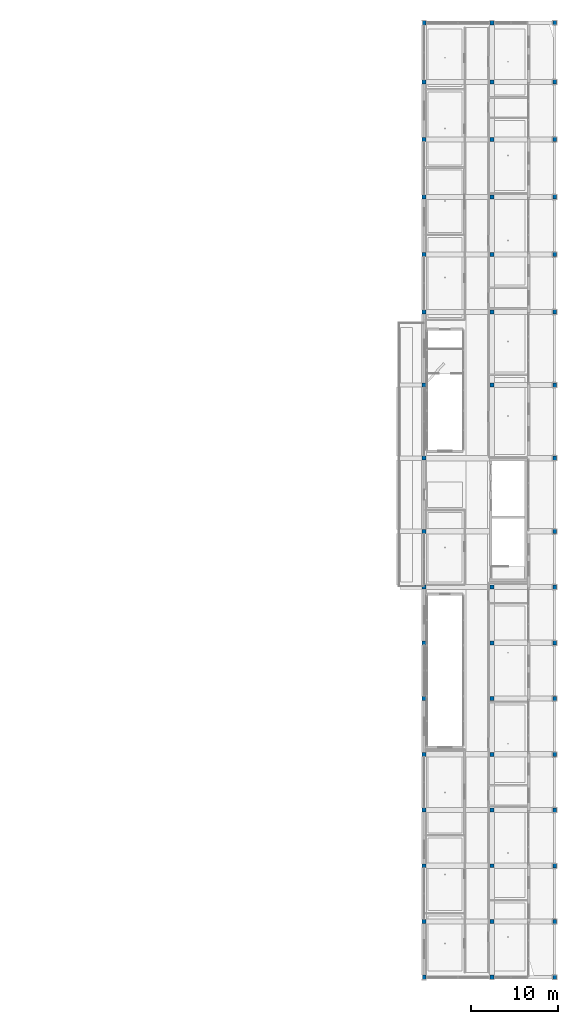
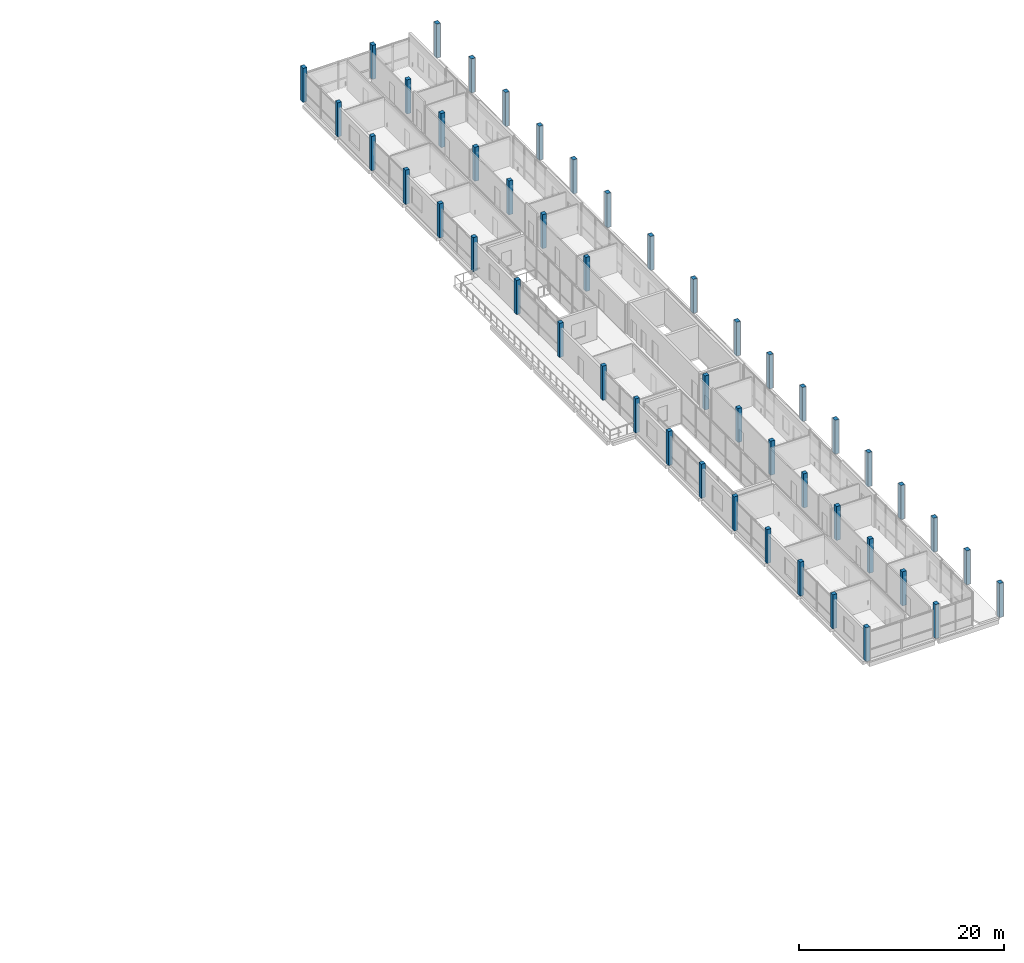
# One storey, part 2 of 48: 49 columns.
"""IFC4 building model written with IfcOpenShell, lengths in metres."""

from ifc_helpers import new_model, si_unit, derived_unit, direction, frame, origin, origin_2d, place, context, subcontext, project, spatial, rectangle, extrude, material, material_profile, profile_set, type_object, element, save


model = new_model("IFC4")

# Units and contexts
model_context = context("Model", 3, precision=1e-05, world=origin(), true_north=direction((0.0, 1.0)))
body_context = subcontext(model_context, "Body", "Model", "MODEL_VIEW")
ifc_project = project(units=[si_unit("LENGTHUNIT", "METRE"), si_unit("AREAUNIT", "SQUARE_METRE"), si_unit("VOLUMEUNIT", "CUBIC_METRE"), si_unit("PLANEANGLEUNIT", "RADIAN"), si_unit("MASSUNIT", "GRAM", prefix="KILO"), derived_unit("THERMALTRANSMITTANCEUNIT", [(si_unit("POWERUNIT", "WATT"), 1), (si_unit("LENGTHUNIT", "METRE"), -2), (si_unit("THERMODYNAMICTEMPERATUREUNIT", "KELVIN"), -1)])], contexts=[model_context])

# Site, building, storey
site_placement = place(None, origin())
site = spatial("IfcSite", under=ifc_project, at=site_placement, CompositionType="ELEMENT")
building_placement = place(site_placement, origin())
building = spatial("IfcBuilding", under=site, at=building_placement, Name="Braskholm Square Health Centre", CompositionType="ELEMENT")
storey_placement = place(building_placement, frame((0.0, 0.0, 17.550048828125)))
storey = spatial("IfcBuildingStorey", under=building, at=storey_placement, Name="L05", CompositionType="ELEMENT", Elevation=17.550048828125)

# Columns
ifc_material_1 = material(Name="Concrete C40/50 (f'c = 40 MPa)", Category="concrete")
ifc_material_profile_1 = material_profile(ifc_material_1, rectangle(XDim=0.449951171875, YDim=0.449951171875, at=origin_2d()), Name="RC-450X450")
ifc_profile_set_1 = profile_set([ifc_material_profile_1], Name="Concrete C40/50 (f'c = 40 MPa)")
column_type_1 = type_object("IfcColumnType", Name="ColInteriorTop450", PredefinedType="COLUMN", material=ifc_profile_set_1)
for number, where, z_axis, x_axis, name in (
    (1, (148.800048828125, 10.60009765625, 0.0), (0.0, 0.0, 1.0), (1.0, 0.0, 0.0), "Column 20/B L05"),
    (2, (148.800048828125, 17.0, 0.0), (0.0, 0.0, 1.0), (1.0, 0.0, 0.0), "Column 20/C L05"),
    (3, (148.800048828125, 23.39990234375, 0.0), (0.0, 0.0, 1.0), (1.0, 0.0, 0.0), "Column 20/D L05"),
    (4, (148.800048828125, 29.800048828125, 0.0), (0.0, 0.0, 1.0), (1.0, 0.0, 0.0), "Column 20/E L05"),
    (5, (148.800048828125, 36.199951171875, 0.0), (0.0, 0.0, 1.0), (1.0, 0.0, 0.0), "Column 20/F L05"),
    (6, (148.800048828125, 42.60009765625, 0.0), (0.0, 0.0, 1.0), (1.0, 0.0, 0.0), "Column 20/G L05"),
    (7, (148.800048828125, 49.0, 0.0), (0.0, 0.0, 1.0), (1.0, 0.0, 0.0), "Column 20/H L05"),
    (8, (148.800048828125, 55.39990234375, 0.0), (0.0, 0.0, 1.0), (1.0, 0.0, 0.0), "Column 20/J L05"),
    (9, (148.800048828125, 63.800048828125, 0.0), (0.0, 0.0, 1.0), (1.0, 0.0, 0.0), "Column 20/K L05"),
    (10, (148.800048828125, 72.199951171875, 0.0), (0.0, 0.0, 1.0), (1.0, 0.0, 0.0), "Column 20/L L05"),
    (11, (148.800048828125, 80.60009765625, 0.0), (0.0, 0.0, 1.0), (1.0, 0.0, 0.0), "Column 20/M L05"),
    (12, (148.800048828125, 87.199951171875, 0.0), (0.0, 0.0, 1.0), (1.0, 0.0, 0.0), "Column 20/N L05"),
    (13, (148.800048828125, 93.800048828125, 0.0), (0.0, 0.0, 1.0), (1.0, 0.0, 0.0), "Column 20/P L05"),
    (14, (148.800048828125, 100.39990234375, 0.0), (0.0, 0.0, 1.0), (1.0, 0.0, 0.0), "Column 20/Q L05"),
    (15, (148.800048828125, 107.0, 0.0), (0.0, 0.0, 1.0), (1.0, 0.0, 0.0), "Column 20/R L05"),
    (16, (156.60009765625, 10.60009765625, 0.0), (0.0, 0.0, 1.0), (1.0, 0.0, 0.0), "Column 21/B L05"),
    (17, (156.60009765625, 17.0, 0.0), (0.0, 0.0, 1.0), (1.0, 0.0, 0.0), "Column 21/C L05"),
    (18, (156.60009765625, 23.39990234375, 0.0), (0.0, 0.0, 1.0), (1.0, 0.0, 0.0), "Column 21/D L05"),
    (19, (156.60009765625, 29.800048828125, 0.0), (0.0, 0.0, 1.0), (1.0, 0.0, 0.0), "Column 21/E L05"),
    (20, (156.60009765625, 36.199951171875, 0.0), (0.0, 0.0, 1.0), (1.0, 0.0, 0.0), "Column 21/F L05"),
    (21, (156.60009765625, 42.60009765625, 0.0), (0.0, 0.0, 1.0), (1.0, 0.0, 0.0), "Column 21/G L05"),
    (22, (156.60009765625, 49.0, 0.0), (0.0, 0.0, 1.0), (1.0, 0.0, 0.0), "Column 21/H L05"),
    (23, (156.60009765625, 72.199951171875, 0.0), (0.0, 0.0, 1.0), (1.0, 0.0, 0.0), "Column 21/L L05"),
    (24, (156.60009765625, 80.60009765625, 0.0), (0.0, 0.0, 1.0), (1.0, 0.0, 0.0), "Column 21/M L05"),
    (25, (156.60009765625, 87.199951171875, 0.0), (0.0, 0.0, 1.0), (1.0, 0.0, 0.0), "Column 21/N L05"),
    (26, (156.60009765625, 93.800048828125, 0.0), (0.0, 0.0, 1.0), (1.0, 0.0, 0.0), "Column 21/P L05"),
    (27, (156.60009765625, 100.39990234375, 0.0), (0.0, 0.0, 1.0), (1.0, 0.0, 0.0), "Column 21/Q L05"),
    (28, (156.60009765625, 107.0, 0.0), (0.0, 0.0, 1.0), (1.0, 0.0, 0.0), "Column 21/R L05"),
):
    element("IfcColumn", number, at=place(storey_placement, frame(where, z_axis=z_axis, x_axis=x_axis)), inside=storey, type_object=column_type_1, Name=name, PredefinedType="COLUMN", context=body_context, shape_type="SweptSolid", body=[
        extrude(rectangle(XDim=0.449951171875, YDim=0.449951171875, at=origin_2d()), origin(), (0.0, 0.0, 1.0), 4.050048828125),
    ])
ifc_material_2 = material(Name="Precast concrete C40/50 architectural white", Category="concrete")
ifc_material_profile_2 = material_profile(ifc_material_2, rectangle(XDim=0.419921875, YDim=0.52001953125, at=origin_2d()), Name="RC-420X520")
ifc_profile_set_2 = profile_set([ifc_material_profile_2], Name="Precast concrete C40/50 architectural white")
column_type_2 = type_object("IfcColumnType", Name="ColPrecastFrame420x520", PredefinedType="COLUMN", material=ifc_profile_set_2)
for number, where, z_axis, x_axis, name in (
    (29, (148.800048828125, 4.199951171875, 0.0), (0.0, 0.0, 1.0), (1.0, 0.0, 0.0), "Column 20/A L05"),
    (30, (148.800048828125, 113.800048828125, 0.0), (0.0, 0.0, 1.0), (1.0, 0.0, 0.0), "Column 20/S L05"),
    (31, (156.60009765625, 4.199951171875, 0.0), (0.0, 0.0, 1.0), (1.0, 0.0, 0.0), "Column 21/A L05"),
    (32, (156.60009765625, 113.800048828125, 0.0), (0.0, 0.0, 1.0), (1.0, 0.0, 0.0), "Column 21/S L05"),
    (33, (163.800048828125, 4.199951171875, 0.0), (0.0, 0.0, 1.0), (1.0, 0.0, 0.0), "Column 22/A L05"),
    (34, (163.800048828125, 10.60009765625, 0.0), (0.0, 0.0, 1.0), (1.0, 0.0, 0.0), "Column 22/B L05"),
    (35, (163.800048828125, 17.0, 0.0), (0.0, 0.0, 1.0), (1.0, 0.0, 0.0), "Column 22/C L05"),
    (36, (163.800048828125, 23.39990234375, 0.0), (0.0, 0.0, 1.0), (1.0, 0.0, 0.0), "Column 22/D L05"),
    (37, (163.800048828125, 29.800048828125, 0.0), (0.0, 0.0, 1.0), (1.0, 0.0, 0.0), "Column 22/E L05"),
    (38, (163.800048828125, 36.199951171875, 0.0), (0.0, 0.0, 1.0), (1.0, 0.0, 0.0), "Column 22/F L05"),
    (39, (163.800048828125, 42.60009765625, 0.0), (0.0, 0.0, 1.0), (1.0, 0.0, 0.0), "Column 22/G L05"),
    (40, (163.800048828125, 49.0, 0.0), (0.0, 0.0, 1.0), (1.0, 0.0, 0.0), "Column 22/H L05"),
    (41, (163.800048828125, 55.39990234375, 0.0), (0.0, 0.0, 1.0), (1.0, 0.0, 0.0), "Column 22/J L05"),
    (42, (163.800048828125, 63.800048828125, 0.0), (0.0, 0.0, 1.0), (1.0, 0.0, 0.0), "Column 22/K L05"),
    (43, (163.800048828125, 72.199951171875, 0.0), (0.0, 0.0, 1.0), (1.0, 0.0, 0.0), "Column 22/L L05"),
    (44, (163.800048828125, 80.60009765625, 0.0), (0.0, 0.0, 1.0), (1.0, 0.0, 0.0), "Column 22/M L05"),
    (45, (163.800048828125, 87.199951171875, 0.0), (0.0, 0.0, 1.0), (1.0, 0.0, 0.0), "Column 22/N L05"),
    (46, (163.800048828125, 93.800048828125, 0.0), (0.0, 0.0, 1.0), (1.0, 0.0, 0.0), "Column 22/P L05"),
    (47, (163.800048828125, 100.39990234375, 0.0), (0.0, 0.0, 1.0), (1.0, 0.0, 0.0), "Column 22/Q L05"),
    (48, (163.800048828125, 107.0, 0.0), (0.0, 0.0, 1.0), (1.0, 0.0, 0.0), "Column 22/R L05"),
    (49, (163.800048828125, 113.800048828125, 0.0), (0.0, 0.0, 1.0), (1.0, 0.0, 0.0), "Column 22/S L05"),
):
    element("IfcColumn", number, at=place(storey_placement, frame(where, z_axis=z_axis, x_axis=x_axis)), inside=storey, type_object=column_type_2, Name=name, PredefinedType="COLUMN", context=body_context, shape_type="SweptSolid", body=[
        extrude(rectangle(XDim=0.419921875, YDim=0.52001953125, at=origin_2d()), origin(), (0.0, 0.0, 1.0), 4.050048828125),
    ])

save(model, "model.ifc")
